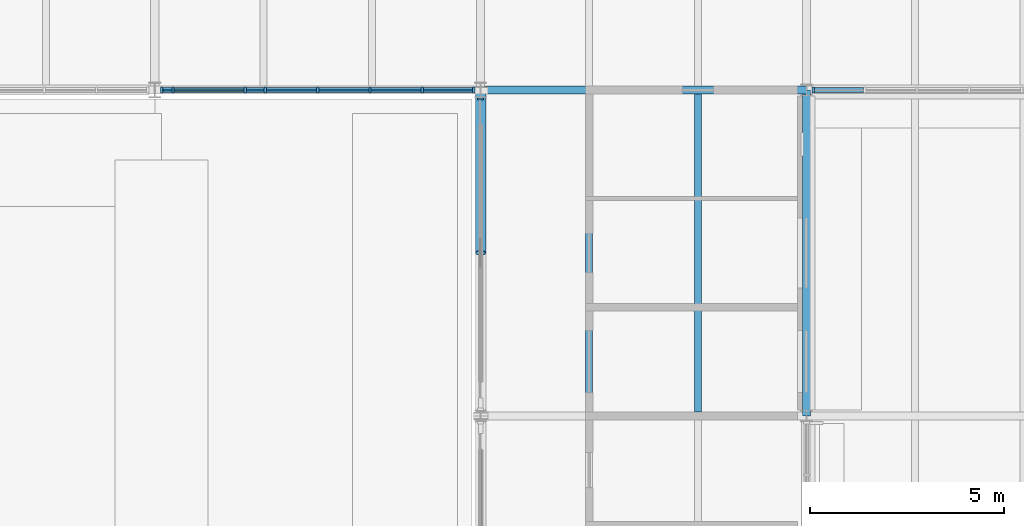
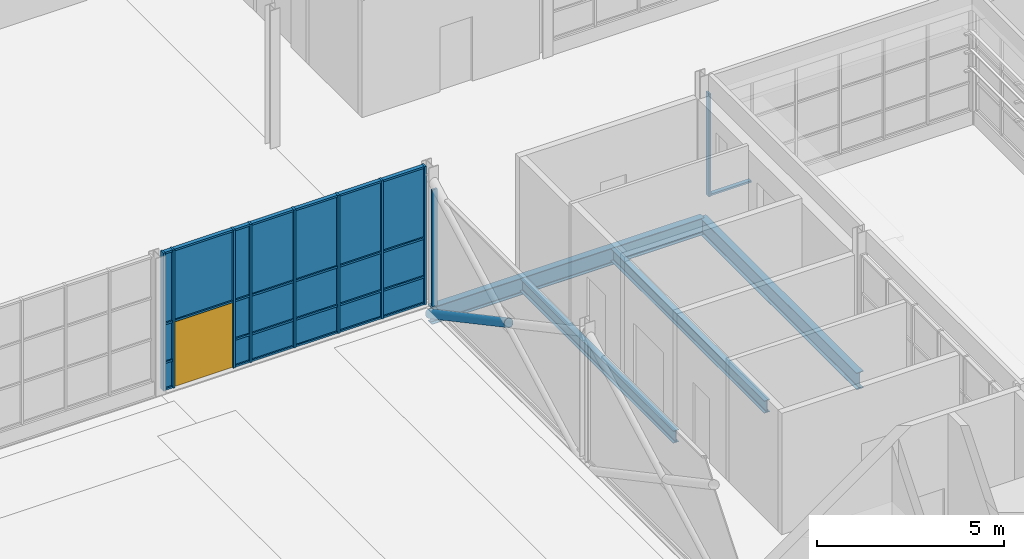
# One storey, part 47 of 116: 38 members, 19 plates, 4 beams, 1 door, 1 opening, 3 elements without a shape of their own.
"""IFC4 building model written with IfcOpenShell, lengths in metres."""

from ifc_helpers import new_model, si_unit, direction, frame, frame_2d, origin, origin_2d, place, context, subcontext, project, spatial, rectangle, hollow_circle, i_section, extrude, material, layer, layer_set, material_profile, profile_set, type_object, element, fill, aggregate, save


model = new_model("IFC4")

# Units and contexts
model_context = context("Model", 3, precision=1e-05, world=origin(), true_north=direction((0.0, 1.0)))
body_context = subcontext(model_context, "Body", "Model", "MODEL_VIEW")
ifc_project = project(units=[si_unit("LENGTHUNIT", "METRE"), si_unit("AREAUNIT", "SQUARE_METRE"), si_unit("VOLUMEUNIT", "CUBIC_METRE"), si_unit("PLANEANGLEUNIT", "RADIAN"), si_unit("MASSUNIT", "GRAM", prefix="KILO")], contexts=[model_context])

# Site, building, storey
site_placement = place(None, origin())
site = spatial("IfcSite", under=ifc_project, at=site_placement, CompositionType="ELEMENT")
building_placement = place(site_placement, origin())
building = spatial("IfcBuilding", under=site, at=building_placement, Name="Ardhachandra Cancer Care Centre", CompositionType="ELEMENT")
storey_placement = place(building_placement, origin())
storey = spatial("IfcBuildingStorey", under=building, at=storey_placement, Name="L00", CompositionType="ELEMENT", Elevation=0.0)

# Beams
ifc_material_1 = material(Name="Steel E350 (IS 2062)", Category="steel")
ifc_material_profile_1 = material_profile(ifc_material_1, i_section(OverallWidth=0.179931640625, OverallDepth=0.39990234375, WebThickness=0.008544921875, FlangeThickness=0.013427734375, FilletRadius=0.02099609375, at=origin_2d()), Name="NPB 400x180x66.30")
ifc_profile_set_1 = profile_set([ifc_material_profile_1], Name="Steel E350 (IS 2062)")
beam_type_1 = type_object("IfcBeamType", Name="Beam NPB 400x180x66.30", PredefinedType="BEAM", material=ifc_profile_set_1)
for number, where, z_axis, x_axis, name in (
    (1, (114.39990234375, 46.304931640625, -0.35009765625), (0.0, 1.0, 0.0), (-1.0, 0.0, 0.0), "Secondary E13-F13@2800"),
    (2, (117.199951171875, 46.304931640625, -0.35009765625), (0.0, 1.0, 0.0), (-1.0, 0.0, 0.0), "Secondary E13-F13@5600"),
):
    element("IfcBeam", number, at=place(storey_placement, frame(where, z_axis=z_axis, x_axis=x_axis)), inside=storey, type_object=beam_type_1, Name=name, PredefinedType="BEAM", context=body_context, shape_type="SweptSolid", body=[
        extrude(i_section(OverallWidth=0.179931640625, OverallDepth=0.39990234375, WebThickness=0.008544921875, FlangeThickness=0.013427734375, FilletRadius=0.02099609375, at=origin_2d()), origin(), (0.0, 0.0, 1.0), 8.190185546875),
    ])
ifc_material_2 = material(Name="Steel E350 (IS 2062)", Category="steel")
ifc_material_profile_2 = material_profile(ifc_material_2, i_section(OverallWidth=0.2099609375, OverallDepth=0.550048828125, WebThickness=0.010986328125, FlangeThickness=0.01708984375, FilletRadius=0.02392578125, at=origin_2d()), Name="NPB 550x210x105.52")
ifc_profile_set_2 = profile_set([ifc_material_profile_2], Name="Steel E350 (IS 2062)")
beam_type_2 = type_object("IfcBeamType", Name="Beam NPB 550x210x105.52", PredefinedType="BEAM", material=ifc_profile_set_2)
beam_1_placement = place(storey_placement, frame((111.60009765625, 54.60009765625, -0.425048828125), z_axis=(1.0, 0.0, 0.0), x_axis=(0.0, 1.0, 0.0)))
element("IfcBeam", 3, at=beam_1_placement, inside=storey, type_object=beam_type_2, Name="Girder F13-F14", PredefinedType="BEAM", context=body_context, shape_type="SweptSolid", body=[
    extrude(i_section(OverallWidth=0.2099609375, OverallDepth=0.550048828125, WebThickness=0.010986328125, FlangeThickness=0.01708984375, FilletRadius=0.02392578125, at=origin_2d()), origin(), (0.0, 0.0, 1.0), 8.39990234375),
])
beam_2_placement = place(storey_placement, frame((120.0, 46.199951171875, -0.425048828125), z_axis=(0.0, 1.0, 0.0), x_axis=(-1.0, 0.0, 0.0)))
element("IfcBeam", 4, at=beam_2_placement, inside=storey, type_object=beam_type_2, Name="Girder E14-F14", PredefinedType="BEAM", context=body_context, shape_type="SweptSolid", body=[
    extrude(i_section(OverallWidth=0.2099609375, OverallDepth=0.550048828125, WebThickness=0.010986328125, FlangeThickness=0.01708984375, FilletRadius=0.02392578125, at=origin_2d()), origin(), (0.0, 0.0, 1.0), 8.400146484375),
])

# Member
ifc_material_3 = material(Name="Steel E350 (IS 2062)", Category="steel")
ifc_material_profile_3 = material_profile(ifc_material_3, hollow_circle(Radius=0.136474609375, WallThickness=0.010009765625, at=origin_2d()), Name="CHS 273x10.0")
ifc_profile_set_3 = profile_set([ifc_material_profile_3], Name="Steel E350 (IS 2062)")
member_type_1 = type_object("IfcMemberType", Name="Brace CHS 273x10.0", PredefinedType="BRACE", material=ifc_profile_set_3)
member_1_placement = place(storey_placement, frame((111.60009765625, 54.60009765625, -0.39990234375), z_axis=(0.0, -0.881489110341, 0.472204350203), x_axis=(1.0, 0.0, 0.0)))
element("IfcMember", 5, at=member_1_placement, inside=storey, type_object=member_type_1, Name="Brace V4-Y1116-462 L00 B1", PredefinedType="BRACE", context=body_context, shape_type="SweptSolid", body=[
    extrude(hollow_circle(Radius=0.136474609375, WallThickness=0.010009765625, at=origin_2d()), origin(), (0.0, 0.0, 1.0), 4.764892578125),
])

# Curtain wall, opening, members
ifc_material_4 = material(Name="Aluminium extrusion", Category="aluminium")
ifc_layer_1 = layer(ifc_material_4, 0.14990234375)
ifc_layer_set_1 = layer_set([ifc_layer_1], Name="Aluminium extrusion")
curtain_wall_type = type_object("IfcCurtainWallType", Name="Curtain wall run", PredefinedType="NOTDEFINED", material=ifc_layer_set_1)
curtain_wall_1_placement = place(storey_placement, frame((103.35009765625, 54.60009765625, 0.0), z_axis=(0.0, 0.0, 1.0), x_axis=(1.0, 0.0, 0.0)))
curtain_wall_1 = element("IfcCurtainWall", 6, at=curtain_wall_1_placement, inside=storey, type_object=curtain_wall_type, Name="Curtain wall L00 s/0103200_0054600", PredefinedType="NOTDEFINED")
opening_placement = place(curtain_wall_1_placement, frame((0.35009765625, 0.0, 0.0)))
opening = element("IfcOpeningElement", 7, at=opening_placement, cuts=curtain_wall_1, Name="Opening L00-X14", PredefinedType="OPENING", context=body_context, shape_type="SweptSolid", body=[
    extrude(rectangle(XDim=1.800048828125, YDim=2.10009765625, at=frame_2d((0.89990234375, 1.050048828125))), frame((0.0, 0.0849609375, 0.0), z_axis=(0.0, -1.0, 0.0), x_axis=(1.0, 0.0, 0.0)), (0.0, 0.0, 1.0), 0.169921875),
])
ifc_material_5 = material(Name="Aluminium extrusion", Category="aluminium")
ifc_material_profile_4 = material_profile(ifc_material_5, rectangle(XDim=0.159912109375, YDim=0.06005859375, at=origin_2d()), Name="Curtain wall mullion 60 x 160")
ifc_profile_set_4 = profile_set([ifc_material_profile_4], Name="Aluminium extrusion")
member_type_2 = type_object("IfcMemberType", Name="Curtain wall mullion 60 x 160", PredefinedType="MULLION", material=ifc_profile_set_4)
member_2_placement = place(storey_placement, frame((103.3798828125, 54.60009765625, 0.0), z_axis=(0.0, 0.0, 1.0), x_axis=(0.0, 1.0, 0.0)))
member_2 = element("IfcMember", 8, at=member_2_placement, type_object=member_type_2, Name="CW mullion 1", PredefinedType="MULLION", context=body_context, shape_type="SweptSolid", body=[
    extrude(rectangle(XDim=0.159912109375, YDim=0.06005859375, at=origin_2d()), origin(), (0.0, 0.0, 1.0), 4.5),
])
member_3_placement = place(storey_placement, frame((103.669921875, 54.60009765625, 0.0), z_axis=(0.0, 0.0, 1.0), x_axis=(0.0, 1.0, 0.0)))
member_3 = element("IfcMember", 9, at=member_3_placement, type_object=member_type_2, Name="CW mullion 2", PredefinedType="MULLION", context=body_context, shape_type="SweptSolid", body=[
    extrude(rectangle(XDim=0.159912109375, YDim=0.06005859375, at=origin_2d()), origin(), (0.0, 0.0, 1.0), 4.5),
])
member_4_placement = place(storey_placement, frame((105.530029296875, 54.60009765625, 0.0), z_axis=(0.0, 0.0, 1.0), x_axis=(0.0, 1.0, 0.0)))
member_4 = element("IfcMember", 10, at=member_4_placement, type_object=member_type_2, Name="CW mullion 3", PredefinedType="MULLION", context=body_context, shape_type="SweptSolid", body=[
    extrude(rectangle(XDim=0.159912109375, YDim=0.06005859375, at=origin_2d()), origin(), (0.0, 0.0, 1.0), 4.5),
])
member_5_placement = place(storey_placement, frame((106.050048828125, 54.60009765625, 0.0), z_axis=(0.0, 0.0, 1.0), x_axis=(0.0, 1.0, 0.0)))
member_5 = element("IfcMember", 11, at=member_5_placement, type_object=member_type_2, Name="CW mullion 4", PredefinedType="MULLION", context=body_context, shape_type="SweptSolid", body=[
    extrude(rectangle(XDim=0.159912109375, YDim=0.06005859375, at=origin_2d()), origin(), (0.0, 0.0, 1.0), 4.5),
])
member_6_placement = place(storey_placement, frame((107.39990234375, 54.60009765625, 0.0), z_axis=(0.0, 0.0, 1.0), x_axis=(0.0, 1.0, 0.0)))
member_6 = element("IfcMember", 12, at=member_6_placement, type_object=member_type_2, Name="CW mullion 5", PredefinedType="MULLION", context=body_context, shape_type="SweptSolid", body=[
    extrude(rectangle(XDim=0.159912109375, YDim=0.06005859375, at=origin_2d()), origin(), (0.0, 0.0, 1.0), 4.5),
])
member_7_placement = place(storey_placement, frame((108.75, 54.60009765625, 0.0), z_axis=(0.0, 0.0, 1.0), x_axis=(0.0, 1.0, 0.0)))
member_7 = element("IfcMember", 13, at=member_7_placement, type_object=member_type_2, Name="CW mullion 6", PredefinedType="MULLION", context=body_context, shape_type="SweptSolid", body=[
    extrude(rectangle(XDim=0.159912109375, YDim=0.06005859375, at=origin_2d()), origin(), (0.0, 0.0, 1.0), 4.5),
])
member_8_placement = place(storey_placement, frame((110.10009765625, 54.60009765625, 0.0), z_axis=(0.0, 0.0, 1.0), x_axis=(0.0, 1.0, 0.0)))
member_8 = element("IfcMember", 14, at=member_8_placement, type_object=member_type_2, Name="CW mullion 7", PredefinedType="MULLION", context=body_context, shape_type="SweptSolid", body=[
    extrude(rectangle(XDim=0.159912109375, YDim=0.06005859375, at=origin_2d()), origin(), (0.0, 0.0, 1.0), 4.5),
])
member_9_placement = place(storey_placement, frame((111.419921875, 54.60009765625, 0.0), z_axis=(0.0, 0.0, 1.0), x_axis=(0.0, 1.0, 0.0)))
member_9 = element("IfcMember", 15, at=member_9_placement, type_object=member_type_2, Name="CW mullion 8", PredefinedType="MULLION", context=body_context, shape_type="SweptSolid", body=[
    extrude(rectangle(XDim=0.159912109375, YDim=0.06005859375, at=origin_2d()), origin(), (0.0, 0.0, 1.0), 4.5),
])

# Curtain wall, member
curtain_wall_2_placement = place(storey_placement, origin())
curtain_wall_2 = element("IfcCurtainWall", 16, at=curtain_wall_2_placement, inside=storey, type_object=curtain_wall_type, Name="Curtain wall L00 s/0120000_0054600", PredefinedType="NOTDEFINED")
member_10_placement = place(storey_placement, frame((120.179931640625, 54.60009765625, 0.449951171875), z_axis=(0.0, 0.0, 1.0), x_axis=(0.0, 1.0, 0.0)))
member_10 = element("IfcMember", 17, at=member_10_placement, type_object=member_type_2, Name="CW mullion 1", PredefinedType="MULLION", context=body_context, shape_type="SweptSolid", body=[
    extrude(rectangle(XDim=0.159912109375, YDim=0.06005859375, at=origin_2d()), origin(), (0.0, 0.0, 1.0), 3.35009765625),
])

curtain_wall_3_placement = place(storey_placement, origin())
curtain_wall_3 = element("IfcCurtainWall", 18, at=curtain_wall_3_placement, inside=storey, type_object=curtain_wall_type, Name="Curtain wall L00 w/0111600_0046200", PredefinedType="NOTDEFINED")
member_11_placement = place(storey_placement, frame((111.60009765625, 54.3701171875, 0.0), z_axis=(0.0, 0.0, 1.0), x_axis=(-1.0, 0.0, 0.0)))
member_11 = element("IfcMember", 19, at=member_11_placement, type_object=member_type_2, Name="CW mullion 2", PredefinedType="MULLION", context=body_context, shape_type="SweptSolid", body=[
    extrude(rectangle(XDim=0.159912109375, YDim=0.06005859375, at=origin_2d()), origin(), (0.0, 0.0, 1.0), 3.803955078125),
])
aggregate(curtain_wall_3, [member_11])

# Member
ifc_material_6 = material(Name="Aluminium extrusion", Category="aluminium")
ifc_material_profile_5 = material_profile(ifc_material_6, rectangle(XDim=0.1201171875, YDim=0.06005859375, at=origin_2d()), Name="Curtain wall transom 60 x 120")
ifc_profile_set_5 = profile_set([ifc_material_profile_5], Name="Aluminium extrusion")
member_type_3 = type_object("IfcMemberType", Name="Curtain wall transom 60 x 120", PredefinedType="USERDEFINED", material=ifc_profile_set_5)
member_12_placement = place(storey_placement, frame((103.409912109375, 54.60009765625, 0.030029296875), z_axis=(1.0, 0.0, 0.0), x_axis=(0.0, 1.0, 0.0)))
member_12 = element("IfcMember", 20, at=member_12_placement, type_object=member_type_3, Name="CW transom 1.1", ObjectType="TRANSOM", PredefinedType="USERDEFINED", context=body_context, shape_type="SweptSolid", body=[
    extrude(rectangle(XDim=0.1201171875, YDim=0.06005859375, at=origin_2d()), origin(), (0.0, 0.0, 1.0), 0.22998046875),
])

member_13_placement = place(storey_placement, frame((103.409912109375, 54.60009765625, 0.89990234375), z_axis=(1.0, 0.0, 0.0), x_axis=(0.0, 1.0, 0.0)))
member_13 = element("IfcMember", 21, at=member_13_placement, type_object=member_type_3, Name="CW transom 1.2", ObjectType="TRANSOM", PredefinedType="USERDEFINED", context=body_context, shape_type="SweptSolid", body=[
    extrude(rectangle(XDim=0.1201171875, YDim=0.06005859375, at=origin_2d()), origin(), (0.0, 0.0, 1.0), 0.22998046875),
])

member_14_placement = place(storey_placement, frame((103.409912109375, 54.60009765625, 2.159912109375), z_axis=(1.0, 0.0, 0.0), x_axis=(0.0, 1.0, 0.0)))
member_14 = element("IfcMember", 22, at=member_14_placement, type_object=member_type_3, Name="CW transom 1.3", ObjectType="TRANSOM", PredefinedType="USERDEFINED", context=body_context, shape_type="SweptSolid", body=[
    extrude(rectangle(XDim=0.1201171875, YDim=0.06005859375, at=origin_2d()), origin(), (0.0, 0.0, 1.0), 0.22998046875),
])

member_15_placement = place(storey_placement, frame((103.409912109375, 54.60009765625, 4.469970703125), z_axis=(1.0, 0.0, 0.0), x_axis=(0.0, 1.0, 0.0)))
member_15 = element("IfcMember", 23, at=member_15_placement, type_object=member_type_3, Name="CW transom 1.4", ObjectType="TRANSOM", PredefinedType="USERDEFINED", context=body_context, shape_type="SweptSolid", body=[
    extrude(rectangle(XDim=0.1201171875, YDim=0.06005859375, at=origin_2d()), origin(), (0.0, 0.0, 1.0), 0.22998046875),
])

member_16_placement = place(storey_placement, frame((103.699951171875, 54.60009765625, 2.159912109375), z_axis=(1.0, 0.0, 0.0), x_axis=(0.0, 1.0, 0.0)))
member_16 = element("IfcMember", 24, at=member_16_placement, type_object=member_type_3, Name="CW transom 2.1", ObjectType="TRANSOM", PredefinedType="USERDEFINED", context=body_context, shape_type="SweptSolid", body=[
    extrude(rectangle(XDim=0.1201171875, YDim=0.06005859375, at=origin_2d()), origin(), (0.0, 0.0, 1.0), 1.800048828125),
])

member_17_placement = place(storey_placement, frame((103.699951171875, 54.60009765625, 4.469970703125), z_axis=(1.0, 0.0, 0.0), x_axis=(0.0, 1.0, 0.0)))
member_17 = element("IfcMember", 25, at=member_17_placement, type_object=member_type_3, Name="CW transom 2.2", ObjectType="TRANSOM", PredefinedType="USERDEFINED", context=body_context, shape_type="SweptSolid", body=[
    extrude(rectangle(XDim=0.1201171875, YDim=0.06005859375, at=origin_2d()), origin(), (0.0, 0.0, 1.0), 1.800048828125),
])

member_18_placement = place(storey_placement, frame((105.56005859375, 54.60009765625, 0.030029296875), z_axis=(1.0, 0.0, 0.0), x_axis=(0.0, 1.0, 0.0)))
member_18 = element("IfcMember", 26, at=member_18_placement, type_object=member_type_3, Name="CW transom 3.1", ObjectType="TRANSOM", PredefinedType="USERDEFINED", context=body_context, shape_type="SweptSolid", body=[
    extrude(rectangle(XDim=0.1201171875, YDim=0.06005859375, at=origin_2d()), origin(), (0.0, 0.0, 1.0), 0.4599609375),
])

member_19_placement = place(storey_placement, frame((105.56005859375, 54.60009765625, 0.89990234375), z_axis=(1.0, 0.0, 0.0), x_axis=(0.0, 1.0, 0.0)))
member_19 = element("IfcMember", 27, at=member_19_placement, type_object=member_type_3, Name="CW transom 3.2", ObjectType="TRANSOM", PredefinedType="USERDEFINED", context=body_context, shape_type="SweptSolid", body=[
    extrude(rectangle(XDim=0.1201171875, YDim=0.06005859375, at=origin_2d()), origin(), (0.0, 0.0, 1.0), 0.4599609375),
])

member_20_placement = place(storey_placement, frame((105.56005859375, 54.60009765625, 2.159912109375), z_axis=(1.0, 0.0, 0.0), x_axis=(0.0, 1.0, 0.0)))
member_20 = element("IfcMember", 28, at=member_20_placement, type_object=member_type_3, Name="CW transom 3.3", ObjectType="TRANSOM", PredefinedType="USERDEFINED", context=body_context, shape_type="SweptSolid", body=[
    extrude(rectangle(XDim=0.1201171875, YDim=0.06005859375, at=origin_2d()), origin(), (0.0, 0.0, 1.0), 0.4599609375),
])

member_21_placement = place(storey_placement, frame((105.56005859375, 54.60009765625, 4.469970703125), z_axis=(1.0, 0.0, 0.0), x_axis=(0.0, 1.0, 0.0)))
member_21 = element("IfcMember", 29, at=member_21_placement, type_object=member_type_3, Name="CW transom 3.4", ObjectType="TRANSOM", PredefinedType="USERDEFINED", context=body_context, shape_type="SweptSolid", body=[
    extrude(rectangle(XDim=0.1201171875, YDim=0.06005859375, at=origin_2d()), origin(), (0.0, 0.0, 1.0), 0.4599609375),
])

member_22_placement = place(storey_placement, frame((106.080078125, 54.60009765625, 0.030029296875), z_axis=(1.0, 0.0, 0.0), x_axis=(0.0, 1.0, 0.0)))
member_22 = element("IfcMember", 30, at=member_22_placement, type_object=member_type_3, Name="CW transom 4.1", ObjectType="TRANSOM", PredefinedType="USERDEFINED", context=body_context, shape_type="SweptSolid", body=[
    extrude(rectangle(XDim=0.1201171875, YDim=0.06005859375, at=origin_2d()), origin(), (0.0, 0.0, 1.0), 1.2900390625),
])

member_23_placement = place(storey_placement, frame((106.080078125, 54.60009765625, 0.89990234375), z_axis=(1.0, 0.0, 0.0), x_axis=(0.0, 1.0, 0.0)))
member_23 = element("IfcMember", 31, at=member_23_placement, type_object=member_type_3, Name="CW transom 4.2", ObjectType="TRANSOM", PredefinedType="USERDEFINED", context=body_context, shape_type="SweptSolid", body=[
    extrude(rectangle(XDim=0.1201171875, YDim=0.06005859375, at=origin_2d()), origin(), (0.0, 0.0, 1.0), 1.2900390625),
])

member_24_placement = place(storey_placement, frame((106.080078125, 54.60009765625, 2.159912109375), z_axis=(1.0, 0.0, 0.0), x_axis=(0.0, 1.0, 0.0)))
member_24 = element("IfcMember", 32, at=member_24_placement, type_object=member_type_3, Name="CW transom 4.3", ObjectType="TRANSOM", PredefinedType="USERDEFINED", context=body_context, shape_type="SweptSolid", body=[
    extrude(rectangle(XDim=0.1201171875, YDim=0.06005859375, at=origin_2d()), origin(), (0.0, 0.0, 1.0), 1.2900390625),
])

member_25_placement = place(storey_placement, frame((106.080078125, 54.60009765625, 4.469970703125), z_axis=(1.0, 0.0, 0.0), x_axis=(0.0, 1.0, 0.0)))
member_25 = element("IfcMember", 33, at=member_25_placement, type_object=member_type_3, Name="CW transom 4.4", ObjectType="TRANSOM", PredefinedType="USERDEFINED", context=body_context, shape_type="SweptSolid", body=[
    extrude(rectangle(XDim=0.1201171875, YDim=0.06005859375, at=origin_2d()), origin(), (0.0, 0.0, 1.0), 1.2900390625),
])

member_26_placement = place(storey_placement, frame((107.429931640625, 54.60009765625, 0.030029296875), z_axis=(1.0, 0.0, 0.0), x_axis=(0.0, 1.0, 0.0)))
member_26 = element("IfcMember", 34, at=member_26_placement, type_object=member_type_3, Name="CW transom 5.1", ObjectType="TRANSOM", PredefinedType="USERDEFINED", context=body_context, shape_type="SweptSolid", body=[
    extrude(rectangle(XDim=0.1201171875, YDim=0.06005859375, at=origin_2d()), origin(), (0.0, 0.0, 1.0), 1.2900390625),
])

member_27_placement = place(storey_placement, frame((107.429931640625, 54.60009765625, 0.89990234375), z_axis=(1.0, 0.0, 0.0), x_axis=(0.0, 1.0, 0.0)))
member_27 = element("IfcMember", 35, at=member_27_placement, type_object=member_type_3, Name="CW transom 5.2", ObjectType="TRANSOM", PredefinedType="USERDEFINED", context=body_context, shape_type="SweptSolid", body=[
    extrude(rectangle(XDim=0.1201171875, YDim=0.06005859375, at=origin_2d()), origin(), (0.0, 0.0, 1.0), 1.2900390625),
])

member_28_placement = place(storey_placement, frame((107.429931640625, 54.60009765625, 2.159912109375), z_axis=(1.0, 0.0, 0.0), x_axis=(0.0, 1.0, 0.0)))
member_28 = element("IfcMember", 36, at=member_28_placement, type_object=member_type_3, Name="CW transom 5.3", ObjectType="TRANSOM", PredefinedType="USERDEFINED", context=body_context, shape_type="SweptSolid", body=[
    extrude(rectangle(XDim=0.1201171875, YDim=0.06005859375, at=origin_2d()), origin(), (0.0, 0.0, 1.0), 1.2900390625),
])

member_29_placement = place(storey_placement, frame((107.429931640625, 54.60009765625, 4.469970703125), z_axis=(1.0, 0.0, 0.0), x_axis=(0.0, 1.0, 0.0)))
member_29 = element("IfcMember", 37, at=member_29_placement, type_object=member_type_3, Name="CW transom 5.4", ObjectType="TRANSOM", PredefinedType="USERDEFINED", context=body_context, shape_type="SweptSolid", body=[
    extrude(rectangle(XDim=0.1201171875, YDim=0.06005859375, at=origin_2d()), origin(), (0.0, 0.0, 1.0), 1.2900390625),
])

member_30_placement = place(storey_placement, frame((108.780029296875, 54.60009765625, 0.030029296875), z_axis=(1.0, 0.0, 0.0), x_axis=(0.0, 1.0, 0.0)))
member_30 = element("IfcMember", 38, at=member_30_placement, type_object=member_type_3, Name="CW transom 6.1", ObjectType="TRANSOM", PredefinedType="USERDEFINED", context=body_context, shape_type="SweptSolid", body=[
    extrude(rectangle(XDim=0.1201171875, YDim=0.06005859375, at=origin_2d()), origin(), (0.0, 0.0, 1.0), 1.2900390625),
])

member_31_placement = place(storey_placement, frame((108.780029296875, 54.60009765625, 0.89990234375), z_axis=(1.0, 0.0, 0.0), x_axis=(0.0, 1.0, 0.0)))
member_31 = element("IfcMember", 39, at=member_31_placement, type_object=member_type_3, Name="CW transom 6.2", ObjectType="TRANSOM", PredefinedType="USERDEFINED", context=body_context, shape_type="SweptSolid", body=[
    extrude(rectangle(XDim=0.1201171875, YDim=0.06005859375, at=origin_2d()), origin(), (0.0, 0.0, 1.0), 1.2900390625),
])

member_32_placement = place(storey_placement, frame((108.780029296875, 54.60009765625, 2.159912109375), z_axis=(1.0, 0.0, 0.0), x_axis=(0.0, 1.0, 0.0)))
member_32 = element("IfcMember", 40, at=member_32_placement, type_object=member_type_3, Name="CW transom 6.3", ObjectType="TRANSOM", PredefinedType="USERDEFINED", context=body_context, shape_type="SweptSolid", body=[
    extrude(rectangle(XDim=0.1201171875, YDim=0.06005859375, at=origin_2d()), origin(), (0.0, 0.0, 1.0), 1.2900390625),
])

member_33_placement = place(storey_placement, frame((108.780029296875, 54.60009765625, 4.469970703125), z_axis=(1.0, 0.0, 0.0), x_axis=(0.0, 1.0, 0.0)))
member_33 = element("IfcMember", 41, at=member_33_placement, type_object=member_type_3, Name="CW transom 6.4", ObjectType="TRANSOM", PredefinedType="USERDEFINED", context=body_context, shape_type="SweptSolid", body=[
    extrude(rectangle(XDim=0.1201171875, YDim=0.06005859375, at=origin_2d()), origin(), (0.0, 0.0, 1.0), 1.2900390625),
])

member_34_placement = place(storey_placement, frame((110.1298828125, 54.60009765625, 0.030029296875), z_axis=(1.0, 0.0, 0.0), x_axis=(0.0, 1.0, 0.0)))
member_34 = element("IfcMember", 42, at=member_34_placement, type_object=member_type_3, Name="CW transom 7.1", ObjectType="TRANSOM", PredefinedType="USERDEFINED", context=body_context, shape_type="SweptSolid", body=[
    extrude(rectangle(XDim=0.1201171875, YDim=0.06005859375, at=origin_2d()), origin(), (0.0, 0.0, 1.0), 1.260009765625),
])

member_35_placement = place(storey_placement, frame((110.1298828125, 54.60009765625, 0.89990234375), z_axis=(1.0, 0.0, 0.0), x_axis=(0.0, 1.0, 0.0)))
member_35 = element("IfcMember", 43, at=member_35_placement, type_object=member_type_3, Name="CW transom 7.2", ObjectType="TRANSOM", PredefinedType="USERDEFINED", context=body_context, shape_type="SweptSolid", body=[
    extrude(rectangle(XDim=0.1201171875, YDim=0.06005859375, at=origin_2d()), origin(), (0.0, 0.0, 1.0), 1.260009765625),
])

member_36_placement = place(storey_placement, frame((110.1298828125, 54.60009765625, 2.159912109375), z_axis=(1.0, 0.0, 0.0), x_axis=(0.0, 1.0, 0.0)))
member_36 = element("IfcMember", 44, at=member_36_placement, type_object=member_type_3, Name="CW transom 7.3", ObjectType="TRANSOM", PredefinedType="USERDEFINED", context=body_context, shape_type="SweptSolid", body=[
    extrude(rectangle(XDim=0.1201171875, YDim=0.06005859375, at=origin_2d()), origin(), (0.0, 0.0, 1.0), 1.260009765625),
])

member_37_placement = place(storey_placement, frame((110.1298828125, 54.60009765625, 4.469970703125), z_axis=(1.0, 0.0, 0.0), x_axis=(0.0, 1.0, 0.0)))
member_37 = element("IfcMember", 45, at=member_37_placement, type_object=member_type_3, Name="CW transom 7.4", ObjectType="TRANSOM", PredefinedType="USERDEFINED", context=body_context, shape_type="SweptSolid", body=[
    extrude(rectangle(XDim=0.1201171875, YDim=0.06005859375, at=origin_2d()), origin(), (0.0, 0.0, 1.0), 1.260009765625),
])

member_38_placement = place(storey_placement, frame((120.2099609375, 54.60009765625, 0.47998046875), z_axis=(1.0, 0.0, 0.0), x_axis=(0.0, 1.0, 0.0)))
member_38 = element("IfcMember", 46, at=member_38_placement, type_object=member_type_3, Name="CW transom 1.1", ObjectType="TRANSOM", PredefinedType="USERDEFINED", context=body_context, shape_type="SweptSolid", body=[
    extrude(rectangle(XDim=0.1201171875, YDim=0.06005859375, at=origin_2d()), origin(), (0.0, 0.0, 1.0), 1.260009765625),
])

aggregate(curtain_wall_2, [member_10, member_38])

# Plate
ifc_material_7 = material(Name="Low-iron double-glazed unit")
ifc_layer_2 = layer(ifc_material_7, 0.028076171875)
ifc_layer_set_2 = layer_set([ifc_layer_2], Name="Low-iron double-glazed unit")
plate_type = type_object("IfcPlateType", Name="Curtain wall glazing 28", PredefinedType="CURTAIN_PANEL", material=ifc_layer_set_2)
plate_1_placement = place(storey_placement, frame((103.52490234375, 54.60009765625, 0.06005859375), z_axis=(0.0, 0.0, 1.0), x_axis=(1.0, 0.0, 0.0)))
plate_1 = element("IfcPlate", 47, at=plate_1_placement, type_object=plate_type, Name="CW panel 1.1", PredefinedType="CURTAIN_PANEL", context=body_context, shape_type="SweptSolid", body=[
    extrude(rectangle(XDim=0.22998046875, YDim=0.028076171875, at=origin_2d()), origin(), (0.0, 0.0, 1.0), 0.81005859375),
])

plate_2_placement = place(storey_placement, frame((103.52490234375, 54.60009765625, 0.93017578125), z_axis=(0.0, 0.0, 1.0), x_axis=(1.0, 0.0, 0.0)))
plate_2 = element("IfcPlate", 48, at=plate_2_placement, type_object=plate_type, Name="CW panel 1.2", PredefinedType="CURTAIN_PANEL", context=body_context, shape_type="SweptSolid", body=[
    extrude(rectangle(XDim=0.22998046875, YDim=0.028076171875, at=origin_2d()), origin(), (0.0, 0.0, 1.0), 1.199951171875),
])

plate_3_placement = place(storey_placement, frame((103.52490234375, 54.60009765625, 2.18994140625), z_axis=(0.0, 0.0, 1.0), x_axis=(1.0, 0.0, 0.0)))
plate_3 = element("IfcPlate", 49, at=plate_3_placement, type_object=plate_type, Name="CW panel 1.3", PredefinedType="CURTAIN_PANEL", context=body_context, shape_type="SweptSolid", body=[
    extrude(rectangle(XDim=0.22998046875, YDim=0.028076171875, at=origin_2d()), origin(), (0.0, 0.0, 1.0), 2.25),
])

plate_4_placement = place(storey_placement, frame((104.60009765625, 54.60009765625, 2.18994140625), z_axis=(0.0, 0.0, 1.0), x_axis=(1.0, 0.0, 0.0)))
plate_4 = element("IfcPlate", 50, at=plate_4_placement, type_object=plate_type, Name="CW panel 2.1", PredefinedType="CURTAIN_PANEL", context=body_context, shape_type="SweptSolid", body=[
    extrude(rectangle(XDim=1.800048828125, YDim=0.028076171875, at=origin_2d()), origin(), (0.0, 0.0, 1.0), 2.25),
])

plate_5_placement = place(storey_placement, frame((105.7900390625, 54.60009765625, 0.06005859375), z_axis=(0.0, 0.0, 1.0), x_axis=(1.0, 0.0, 0.0)))
plate_5 = element("IfcPlate", 51, at=plate_5_placement, type_object=plate_type, Name="CW panel 3.1", PredefinedType="CURTAIN_PANEL", context=body_context, shape_type="SweptSolid", body=[
    extrude(rectangle(XDim=0.4599609375, YDim=0.028076171875, at=origin_2d()), origin(), (0.0, 0.0, 1.0), 0.81005859375),
])

plate_6_placement = place(storey_placement, frame((105.7900390625, 54.60009765625, 0.93017578125), z_axis=(0.0, 0.0, 1.0), x_axis=(1.0, 0.0, 0.0)))
plate_6 = element("IfcPlate", 52, at=plate_6_placement, type_object=plate_type, Name="CW panel 3.2", PredefinedType="CURTAIN_PANEL", context=body_context, shape_type="SweptSolid", body=[
    extrude(rectangle(XDim=0.4599609375, YDim=0.028076171875, at=origin_2d()), origin(), (0.0, 0.0, 1.0), 1.199951171875),
])

plate_7_placement = place(storey_placement, frame((105.7900390625, 54.60009765625, 2.18994140625), z_axis=(0.0, 0.0, 1.0), x_axis=(1.0, 0.0, 0.0)))
plate_7 = element("IfcPlate", 53, at=plate_7_placement, type_object=plate_type, Name="CW panel 3.3", PredefinedType="CURTAIN_PANEL", context=body_context, shape_type="SweptSolid", body=[
    extrude(rectangle(XDim=0.4599609375, YDim=0.028076171875, at=origin_2d()), origin(), (0.0, 0.0, 1.0), 2.25),
])

plate_8_placement = place(storey_placement, frame((106.72509765625, 54.60009765625, 0.06005859375), z_axis=(0.0, 0.0, 1.0), x_axis=(1.0, 0.0, 0.0)))
plate_8 = element("IfcPlate", 54, at=plate_8_placement, type_object=plate_type, Name="CW panel 4.1", PredefinedType="CURTAIN_PANEL", context=body_context, shape_type="SweptSolid", body=[
    extrude(rectangle(XDim=1.2900390625, YDim=0.028076171875, at=origin_2d()), origin(), (0.0, 0.0, 1.0), 0.81005859375),
])

plate_9_placement = place(storey_placement, frame((106.72509765625, 54.60009765625, 0.93017578125), z_axis=(0.0, 0.0, 1.0), x_axis=(1.0, 0.0, 0.0)))
plate_9 = element("IfcPlate", 55, at=plate_9_placement, type_object=plate_type, Name="CW panel 4.2", PredefinedType="CURTAIN_PANEL", context=body_context, shape_type="SweptSolid", body=[
    extrude(rectangle(XDim=1.2900390625, YDim=0.028076171875, at=origin_2d()), origin(), (0.0, 0.0, 1.0), 1.199951171875),
])

plate_10_placement = place(storey_placement, frame((106.72509765625, 54.60009765625, 2.18994140625), z_axis=(0.0, 0.0, 1.0), x_axis=(1.0, 0.0, 0.0)))
plate_10 = element("IfcPlate", 56, at=plate_10_placement, type_object=plate_type, Name="CW panel 4.3", PredefinedType="CURTAIN_PANEL", context=body_context, shape_type="SweptSolid", body=[
    extrude(rectangle(XDim=1.2900390625, YDim=0.028076171875, at=origin_2d()), origin(), (0.0, 0.0, 1.0), 2.25),
])

plate_11_placement = place(storey_placement, frame((108.074951171875, 54.60009765625, 0.06005859375), z_axis=(0.0, 0.0, 1.0), x_axis=(1.0, 0.0, 0.0)))
plate_11 = element("IfcPlate", 57, at=plate_11_placement, type_object=plate_type, Name="CW panel 5.1", PredefinedType="CURTAIN_PANEL", context=body_context, shape_type="SweptSolid", body=[
    extrude(rectangle(XDim=1.2900390625, YDim=0.028076171875, at=origin_2d()), origin(), (0.0, 0.0, 1.0), 0.81005859375),
])

plate_12_placement = place(storey_placement, frame((108.074951171875, 54.60009765625, 0.93017578125), z_axis=(0.0, 0.0, 1.0), x_axis=(1.0, 0.0, 0.0)))
plate_12 = element("IfcPlate", 58, at=plate_12_placement, type_object=plate_type, Name="CW panel 5.2", PredefinedType="CURTAIN_PANEL", context=body_context, shape_type="SweptSolid", body=[
    extrude(rectangle(XDim=1.2900390625, YDim=0.028076171875, at=origin_2d()), origin(), (0.0, 0.0, 1.0), 1.199951171875),
])

plate_13_placement = place(storey_placement, frame((108.074951171875, 54.60009765625, 2.18994140625), z_axis=(0.0, 0.0, 1.0), x_axis=(1.0, 0.0, 0.0)))
plate_13 = element("IfcPlate", 59, at=plate_13_placement, type_object=plate_type, Name="CW panel 5.3", PredefinedType="CURTAIN_PANEL", context=body_context, shape_type="SweptSolid", body=[
    extrude(rectangle(XDim=1.2900390625, YDim=0.028076171875, at=origin_2d()), origin(), (0.0, 0.0, 1.0), 2.25),
])

plate_14_placement = place(storey_placement, frame((109.425048828125, 54.60009765625, 0.06005859375), z_axis=(0.0, 0.0, 1.0), x_axis=(1.0, 0.0, 0.0)))
plate_14 = element("IfcPlate", 60, at=plate_14_placement, type_object=plate_type, Name="CW panel 6.1", PredefinedType="CURTAIN_PANEL", context=body_context, shape_type="SweptSolid", body=[
    extrude(rectangle(XDim=1.2900390625, YDim=0.028076171875, at=origin_2d()), origin(), (0.0, 0.0, 1.0), 0.81005859375),
])

plate_15_placement = place(storey_placement, frame((109.425048828125, 54.60009765625, 0.93017578125), z_axis=(0.0, 0.0, 1.0), x_axis=(1.0, 0.0, 0.0)))
plate_15 = element("IfcPlate", 61, at=plate_15_placement, type_object=plate_type, Name="CW panel 6.2", PredefinedType="CURTAIN_PANEL", context=body_context, shape_type="SweptSolid", body=[
    extrude(rectangle(XDim=1.2900390625, YDim=0.028076171875, at=origin_2d()), origin(), (0.0, 0.0, 1.0), 1.199951171875),
])

plate_16_placement = place(storey_placement, frame((109.425048828125, 54.60009765625, 2.18994140625), z_axis=(0.0, 0.0, 1.0), x_axis=(1.0, 0.0, 0.0)))
plate_16 = element("IfcPlate", 62, at=plate_16_placement, type_object=plate_type, Name="CW panel 6.3", PredefinedType="CURTAIN_PANEL", context=body_context, shape_type="SweptSolid", body=[
    extrude(rectangle(XDim=1.2900390625, YDim=0.028076171875, at=origin_2d()), origin(), (0.0, 0.0, 1.0), 2.25),
])

plate_17_placement = place(storey_placement, frame((110.760009765625, 54.60009765625, 0.06005859375), z_axis=(0.0, 0.0, 1.0), x_axis=(1.0, 0.0, 0.0)))
plate_17 = element("IfcPlate", 63, at=plate_17_placement, type_object=plate_type, Name="CW panel 7.1", PredefinedType="CURTAIN_PANEL", context=body_context, shape_type="SweptSolid", body=[
    extrude(rectangle(XDim=1.260009765625, YDim=0.028076171875, at=origin_2d()), origin(), (0.0, 0.0, 1.0), 0.81005859375),
])

plate_18_placement = place(storey_placement, frame((110.760009765625, 54.60009765625, 0.93017578125), z_axis=(0.0, 0.0, 1.0), x_axis=(1.0, 0.0, 0.0)))
plate_18 = element("IfcPlate", 64, at=plate_18_placement, type_object=plate_type, Name="CW panel 7.2", PredefinedType="CURTAIN_PANEL", context=body_context, shape_type="SweptSolid", body=[
    extrude(rectangle(XDim=1.260009765625, YDim=0.028076171875, at=origin_2d()), origin(), (0.0, 0.0, 1.0), 1.199951171875),
])

plate_19_placement = place(storey_placement, frame((110.760009765625, 54.60009765625, 2.18994140625), z_axis=(0.0, 0.0, 1.0), x_axis=(1.0, 0.0, 0.0)))
plate_19 = element("IfcPlate", 65, at=plate_19_placement, type_object=plate_type, Name="CW panel 7.3", PredefinedType="CURTAIN_PANEL", context=body_context, shape_type="SweptSolid", body=[
    extrude(rectangle(XDim=1.260009765625, YDim=0.028076171875, at=origin_2d()), origin(), (0.0, 0.0, 1.0), 2.25),
])

aggregate(curtain_wall_1, [member_2, member_3, member_4, member_5, member_6, member_7, member_8, member_9, member_12, member_13, member_14, member_15, plate_1, plate_2, plate_3, member_16, member_17, plate_4, member_18, member_19, member_20, member_21, plate_5, plate_6, plate_7, member_22, member_23, member_24, member_25, plate_8, plate_9, plate_10, member_26, member_27, member_28, member_29, plate_11, plate_12, plate_13, member_30, member_31, member_32, member_33, plate_14, plate_15, plate_16, member_34, member_35, member_36, member_37, plate_17, plate_18, plate_19])

# Door
ifc_material_8 = material(Name="Hollow steel door set with fire-rated infill", Category="steel")
door_type = type_object("IfcDoorType", Name="Exit door pair 1800 x 2100", OperationType="DOUBLE_DOOR_SINGLE_SWING", PredefinedType="DOOR", material=ifc_material_8)
door_placement = place(opening_placement, origin())
door = element("IfcDoor", 66, at=door_placement, inside=storey, type_object=door_type, Name="Hall Court Exit Door L00-X14", OperationType="SINGLE_SWING_LEFT", OverallHeight=2.10009765625, OverallWidth=1.800048828125, PredefinedType="DOOR", context=body_context, shape_type="SweptSolid", body=[
    extrude(rectangle(XDim=1.800048828125, YDim=2.10009765625, at=frame_2d((0.89990234375, 1.050048828125))), frame((0.0, 0.02490234375, 0.0), z_axis=(0.0, -1.0, 0.0), x_axis=(1.0, 0.0, 0.0)), (0.0, 0.0, 1.0), 0.050048828125),
])

fill(opening, door)

save(model, "model.ifc")
